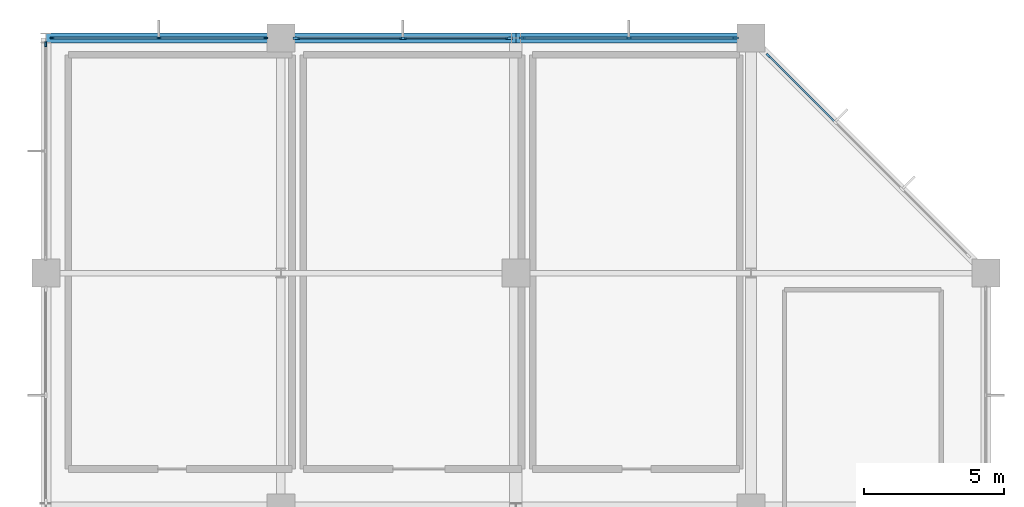
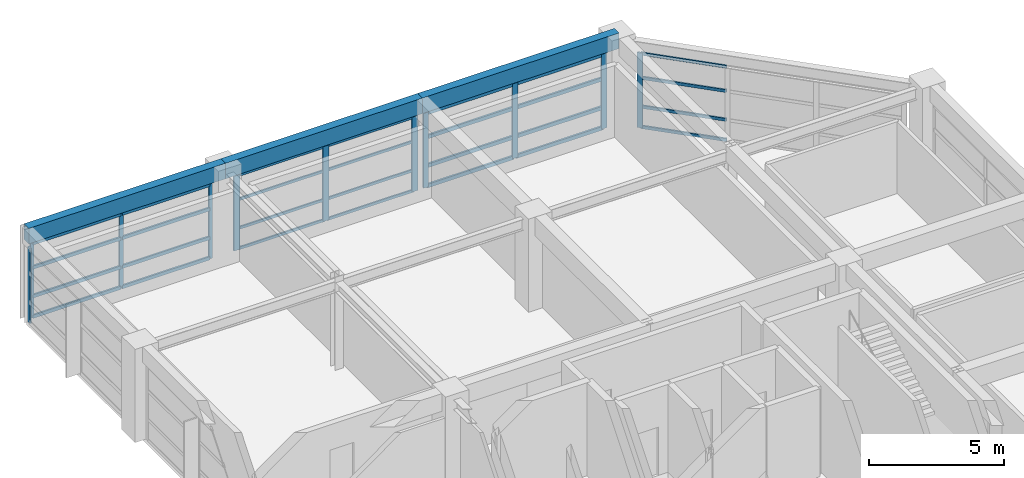
# One storey, part 8 of 15: 39 members, 3 beams, 5 elements without a shape of their own.
"""IFC4 building model written with IfcOpenShell, lengths in metres."""

from ifc_helpers import new_model, si_unit, direction, frame, origin, origin_2d, place, context, subcontext, project, spatial, rectangle, extrude, material, material_profile, profile_set, type_object, element, aggregate, save


model = new_model("IFC4")

# Units and contexts
model_context = context("Model", 3, precision=1e-05, world=origin(), true_north=direction((0.0, 1.0)))
body_context = subcontext(model_context, "Body", "Model", "MODEL_VIEW")
ifc_project = project(units=[si_unit("LENGTHUNIT", "METRE"), si_unit("AREAUNIT", "SQUARE_METRE"), si_unit("VOLUMEUNIT", "CUBIC_METRE"), si_unit("PLANEANGLEUNIT", "RADIAN"), si_unit("MASSUNIT", "GRAM", prefix="KILO")], contexts=[model_context])

# Site, building, storey
site_placement = place(None, origin())
site = spatial("IfcSite", under=ifc_project, at=site_placement, CompositionType="ELEMENT")
building_placement = place(site_placement, origin())
building = spatial("IfcBuilding", under=site, at=building_placement, Name="Xuanlan Plaza Opera House", CompositionType="ELEMENT")
storey_placement = place(building_placement, frame((0.0, 0.0, 53.10009765625)))
storey = spatial("IfcBuildingStorey", under=building, at=storey_placement, Name="L12", CompositionType="ELEMENT", Elevation=53.10009765625)

# Curtain wall, members
ifc_material_1 = material(Name="Anodised Aluminium 6063-T6 and Low-E Glass", Category="aluminium")
curtain_wall_type_1 = type_object("IfcCurtainWallType", Name="ENV-CW-CW-02", PredefinedType="USERDEFINED", material=ifc_material_1)
curtain_wall_1_placement = place(storey_placement, origin())
curtain_wall_1 = element("IfcCurtainWall", 1, at=curtain_wall_1_placement, inside=storey, type_object=curtain_wall_type_1, Name="Unitised Curtain Wall L12-012", ObjectType="UNITISED CURTAIN WALL", PredefinedType="USERDEFINED")
ifc_material_2 = material(Name="Anodised Aluminium 6063-T6", Category="aluminium")
ifc_material_profile_1 = material_profile(ifc_material_2, rectangle(XDim=0.06494140625, YDim=0.159912109375, at=origin_2d()), Name="ALU-M 65x160")
ifc_profile_set_1 = profile_set([ifc_material_profile_1], Name="Anodised Aluminium 6063-T6")
member_type_1 = type_object("IfcMemberType", Name="ENV-CWM-01", PredefinedType="MULLION", material=ifc_profile_set_1)
member_1_placement = place(storey_placement, frame((133.847412109375, 84.0, 0.0), z_axis=(0.0, 0.0, 1.0), x_axis=(0.0, -1.0, 0.0)))
member_1 = element("IfcMember", 2, at=member_1_placement, type_object=member_type_1, Name="CW-02 mullion 1", PredefinedType="MULLION", context=body_context, shape_type="SweptSolid", body=[
    extrude(rectangle(XDim=0.06494140625, YDim=0.159912109375, at=origin_2d()), origin(), (0.0, 0.0, 1.0), 3.3798828125),
])
member_2_placement = place(storey_placement, frame((130.03759765625, 84.0, 0.0), z_axis=(0.0, 0.0, 1.0), x_axis=(0.0, -1.0, 0.0)))
member_2 = element("IfcMember", 3, at=member_2_placement, type_object=member_type_1, Name="CW-02 mullion 2", PredefinedType="MULLION", context=body_context, shape_type="SweptSolid", body=[
    extrude(rectangle(XDim=0.06494140625, YDim=0.159912109375, at=origin_2d()), origin(), (0.0, 0.0, 1.0), 3.3798828125),
])
member_3_placement = place(storey_placement, frame((126.2275390625, 84.0, 0.0), z_axis=(0.0, 0.0, 1.0), x_axis=(0.0, -1.0, 0.0)))
member_3 = element("IfcMember", 4, at=member_3_placement, type_object=member_type_1, Name="CW-02 mullion 3", PredefinedType="MULLION", context=body_context, shape_type="SweptSolid", body=[
    extrude(rectangle(XDim=0.06494140625, YDim=0.159912109375, at=origin_2d()), origin(), (0.0, 0.0, 1.0), 3.3798828125),
])

# Curtain wall, member
curtain_wall_type_2 = type_object("IfcCurtainWallType", Name="ENV-CW-CW-03", PredefinedType="USERDEFINED", material=ifc_material_1)
curtain_wall_2_placement = place(storey_placement, origin())
curtain_wall_2 = element("IfcCurtainWall", 5, at=curtain_wall_2_placement, inside=storey, type_object=curtain_wall_type_2, Name="Unitised Curtain Wall L12-013", ObjectType="UNITISED CURTAIN WALL", PredefinedType="USERDEFINED")
ifc_material_profile_2 = material_profile(ifc_material_2, rectangle(XDim=0.070068359375, YDim=0.179931640625, at=origin_2d()), Name="ALU-M 70x180")
ifc_profile_set_2 = profile_set([ifc_material_profile_2], Name="Anodised Aluminium 6063-T6")
member_type_2 = type_object("IfcMemberType", Name="ENV-CWM-02", PredefinedType="MULLION", material=ifc_profile_set_2)
member_4_placement = place(storey_placement, frame((126.0, 83.77001953125, 0.0), z_axis=(0.0, 0.0, 1.0), x_axis=(1.0, 0.0, 0.0)))
member_4 = element("IfcMember", 6, at=member_4_placement, type_object=member_type_2, Name="CW-03 mullion 1", PredefinedType="MULLION", context=body_context, shape_type="SweptSolid", body=[
    extrude(rectangle(XDim=0.070068359375, YDim=0.179931640625, at=origin_2d()), origin(), (0.0, 0.0, 1.0), 3.3798828125),
])
aggregate(curtain_wall_2, [member_4])

curtain_wall_3_placement = place(storey_placement, origin())
curtain_wall_3 = element("IfcCurtainWall", 7, at=curtain_wall_3_placement, inside=storey, type_object=curtain_wall_type_2, Name="Unitised Curtain Wall L12-009", ObjectType="UNITISED CURTAIN WALL", PredefinedType="USERDEFINED")
ifc_material_profile_3 = material_profile(ifc_material_2, rectangle(XDim=0.074951171875, YDim=0.199951171875, at=origin_2d()), Name="ALU-M 75x200")
ifc_profile_set_3 = profile_set([ifc_material_profile_3], Name="Anodised Aluminium 6063-T6")
member_type_3 = type_object("IfcMemberType", Name="ENV-CWM-03", PredefinedType="MULLION", material=ifc_profile_set_3)
member_5_placement = place(storey_placement, frame((151.825439453125, 83.37451171875, 0.0), z_axis=(0.0, 0.0, 1.0), x_axis=(-0.707106781187, -0.707106781187, 0.0)))
member_5 = element("IfcMember", 8, at=member_5_placement, type_object=member_type_3, Name="CW-03 mullion 4", PredefinedType="MULLION", context=body_context, shape_type="SweptSolid", body=[
    extrude(rectangle(XDim=0.074951171875, YDim=0.199951171875, at=origin_2d()), origin(), (0.0, 0.0, 1.0), 3.3798828125),
])

# Curtain wall, members
curtain_wall_type_3 = type_object("IfcCurtainWallType", Name="ENV-CW-CW-04", PredefinedType="USERDEFINED", material=ifc_material_1)
curtain_wall_4_placement = place(storey_placement, origin())
curtain_wall_4 = element("IfcCurtainWall", 9, at=curtain_wall_4_placement, inside=storey, type_object=curtain_wall_type_3, Name="Unitised Curtain Wall L12-010", ObjectType="UNITISED CURTAIN WALL", PredefinedType="USERDEFINED")
ifc_material_profile_4 = material_profile(ifc_material_2, rectangle(XDim=0.080078125, YDim=0.219970703125, at=origin_2d()), Name="ALU-M 80x220")
ifc_profile_set_4 = profile_set([ifc_material_profile_4], Name="Anodised Aluminium 6063-T6")
member_type_4 = type_object("IfcMemberType", Name="ENV-CWM-04", PredefinedType="MULLION", material=ifc_profile_set_4)
member_6_placement = place(storey_placement, frame((150.639892578125, 84.0, 0.0), z_axis=(0.0, 0.0, 1.0), x_axis=(0.0, -1.0, 0.0)))
member_6 = element("IfcMember", 10, at=member_6_placement, type_object=member_type_4, Name="CW-04 mullion 1", PredefinedType="MULLION", context=body_context, shape_type="SweptSolid", body=[
    extrude(rectangle(XDim=0.080078125, YDim=0.219970703125, at=origin_2d()), origin(), (0.0, 0.0, 1.0), 3.3798828125),
])
member_7_placement = place(storey_placement, frame((146.83740234375, 84.0, 0.0), z_axis=(0.0, 0.0, 1.0), x_axis=(0.0, -1.0, 0.0)))
member_7 = element("IfcMember", 11, at=member_7_placement, type_object=member_type_4, Name="CW-04 mullion 2", PredefinedType="MULLION", context=body_context, shape_type="SweptSolid", body=[
    extrude(rectangle(XDim=0.080078125, YDim=0.219970703125, at=origin_2d()), origin(), (0.0, 0.0, 1.0), 3.3798828125),
])
member_8_placement = place(storey_placement, frame((143.034912109375, 84.0, 0.0), z_axis=(0.0, 0.0, 1.0), x_axis=(0.0, -1.0, 0.0)))
member_8 = element("IfcMember", 12, at=member_8_placement, type_object=member_type_4, Name="CW-04 mullion 3", PredefinedType="MULLION", context=body_context, shape_type="SweptSolid", body=[
    extrude(rectangle(XDim=0.080078125, YDim=0.219970703125, at=origin_2d()), origin(), (0.0, 0.0, 1.0), 3.3798828125),
])

curtain_wall_type_4 = type_object("IfcCurtainWallType", Name="ENV-CW-CW-01", PredefinedType="USERDEFINED", material=ifc_material_1)
curtain_wall_5_placement = place(storey_placement, origin())
curtain_wall_5 = element("IfcCurtainWall", 13, at=curtain_wall_5_placement, inside=storey, type_object=curtain_wall_type_4, Name="Unitised Curtain Wall L12-011", ObjectType="UNITISED CURTAIN WALL", PredefinedType="USERDEFINED")
ifc_material_profile_5 = material_profile(ifc_material_2, rectangle(XDim=0.090087890625, YDim=0.25, at=origin_2d()), Name="ALU-M 90x250")
ifc_profile_set_5 = profile_set([ifc_material_profile_5], Name="Anodised Aluminium 6063-T6")
member_type_5 = type_object("IfcMemberType", Name="ENV-CWM-05", PredefinedType="MULLION", material=ifc_profile_set_5)
member_9_placement = place(storey_placement, frame((142.56005859375, 84.0, 0.0), z_axis=(0.0, 0.0, 1.0), x_axis=(0.0, -1.0, 0.0)))
member_9 = element("IfcMember", 14, at=member_9_placement, type_object=member_type_5, Name="CW-01 mullion 1", PredefinedType="MULLION", context=body_context, shape_type="SweptSolid", body=[
    extrude(rectangle(XDim=0.090087890625, YDim=0.25, at=origin_2d()), origin(), (0.0, 0.0, 1.0), 3.3798828125),
])
member_10_placement = place(storey_placement, frame((138.762451171875, 84.0, 0.0), z_axis=(0.0, 0.0, 1.0), x_axis=(0.0, -1.0, 0.0)))
member_10 = element("IfcMember", 15, at=member_10_placement, type_object=member_type_5, Name="CW-01 mullion 2", PredefinedType="MULLION", context=body_context, shape_type="SweptSolid", body=[
    extrude(rectangle(XDim=0.090087890625, YDim=0.25, at=origin_2d()), origin(), (0.0, 0.0, 1.0), 3.3798828125),
])
member_11_placement = place(storey_placement, frame((134.965087890625, 84.0, 0.0), z_axis=(0.0, 0.0, 1.0), x_axis=(0.0, -1.0, 0.0)))
member_11 = element("IfcMember", 16, at=member_11_placement, type_object=member_type_5, Name="CW-01 mullion 3", PredefinedType="MULLION", context=body_context, shape_type="SweptSolid", body=[
    extrude(rectangle(XDim=0.090087890625, YDim=0.25, at=origin_2d()), origin(), (0.0, 0.0, 1.0), 3.3798828125),
])
ifc_material_profile_6 = material_profile(ifc_material_2, rectangle(XDim=0.06494140625, YDim=0.1201171875, at=origin_2d()), Name="ALU-T 65x120")
ifc_profile_set_6 = profile_set([ifc_material_profile_6], Name="Anodised Aluminium 6063-T6")
member_type_6 = type_object("IfcMemberType", Name="ENV-CWT-01", PredefinedType="USERDEFINED", material=ifc_profile_set_6)
member_12_placement = place(storey_placement, frame((142.514892578125, 84.0, 0.032470703125), z_axis=(-1.0, 0.0, 0.0), x_axis=(0.0, -1.0, 0.0)))
member_12 = element("IfcMember", 17, at=member_12_placement, type_object=member_type_6, Name="CW-01 transom 1.1", ObjectType="TRANSOM", PredefinedType="USERDEFINED", context=body_context, shape_type="SweptSolid", body=[
    extrude(rectangle(XDim=0.06494140625, YDim=0.1201171875, at=origin_2d()), origin(), (0.0, 0.0, 1.0), 3.707275390625),
])
member_13_placement = place(storey_placement, frame((142.514892578125, 84.0, 0.949951171875), z_axis=(-1.0, 0.0, 0.0), x_axis=(0.0, -1.0, 0.0)))
member_13 = element("IfcMember", 18, at=member_13_placement, type_object=member_type_6, Name="CW-01 transom 1.2", ObjectType="TRANSOM", PredefinedType="USERDEFINED", context=body_context, shape_type="SweptSolid", body=[
    extrude(rectangle(XDim=0.06494140625, YDim=0.1201171875, at=origin_2d()), origin(), (0.0, 0.0, 1.0), 3.707275390625),
])
member_14_placement = place(storey_placement, frame((142.514892578125, 84.0, 2.25), z_axis=(-1.0, 0.0, 0.0), x_axis=(0.0, -1.0, 0.0)))
member_14 = element("IfcMember", 19, at=member_14_placement, type_object=member_type_6, Name="CW-01 transom 1.3", ObjectType="TRANSOM", PredefinedType="USERDEFINED", context=body_context, shape_type="SweptSolid", body=[
    extrude(rectangle(XDim=0.06494140625, YDim=0.1201171875, at=origin_2d()), origin(), (0.0, 0.0, 1.0), 3.707275390625),
])
member_15_placement = place(storey_placement, frame((142.514892578125, 84.0, 3.347412109375), z_axis=(-1.0, 0.0, 0.0), x_axis=(0.0, -1.0, 0.0)))
member_15 = element("IfcMember", 20, at=member_15_placement, type_object=member_type_6, Name="CW-01 transom 1.4", ObjectType="TRANSOM", PredefinedType="USERDEFINED", context=body_context, shape_type="SweptSolid", body=[
    extrude(rectangle(XDim=0.06494140625, YDim=0.1201171875, at=origin_2d()), origin(), (0.0, 0.0, 1.0), 3.707275390625),
])
member_16_placement = place(storey_placement, frame((138.717529296875, 84.0, 0.032470703125), z_axis=(-1.0, 0.0, 0.0), x_axis=(0.0, -1.0, 0.0)))
member_16 = element("IfcMember", 21, at=member_16_placement, type_object=member_type_6, Name="CW-01 transom 2.1", ObjectType="TRANSOM", PredefinedType="USERDEFINED", context=body_context, shape_type="SweptSolid", body=[
    extrude(rectangle(XDim=0.06494140625, YDim=0.1201171875, at=origin_2d()), origin(), (0.0, 0.0, 1.0), 3.70751953125),
])
member_17_placement = place(storey_placement, frame((138.717529296875, 84.0, 0.949951171875), z_axis=(-1.0, 0.0, 0.0), x_axis=(0.0, -1.0, 0.0)))
member_17 = element("IfcMember", 22, at=member_17_placement, type_object=member_type_6, Name="CW-01 transom 2.2", ObjectType="TRANSOM", PredefinedType="USERDEFINED", context=body_context, shape_type="SweptSolid", body=[
    extrude(rectangle(XDim=0.06494140625, YDim=0.1201171875, at=origin_2d()), origin(), (0.0, 0.0, 1.0), 3.70751953125),
])
member_18_placement = place(storey_placement, frame((138.717529296875, 84.0, 2.25), z_axis=(-1.0, 0.0, 0.0), x_axis=(0.0, -1.0, 0.0)))
member_18 = element("IfcMember", 23, at=member_18_placement, type_object=member_type_6, Name="CW-01 transom 2.3", ObjectType="TRANSOM", PredefinedType="USERDEFINED", context=body_context, shape_type="SweptSolid", body=[
    extrude(rectangle(XDim=0.06494140625, YDim=0.1201171875, at=origin_2d()), origin(), (0.0, 0.0, 1.0), 3.70751953125),
])
member_19_placement = place(storey_placement, frame((138.717529296875, 84.0, 3.347412109375), z_axis=(-1.0, 0.0, 0.0), x_axis=(0.0, -1.0, 0.0)))
member_19 = element("IfcMember", 24, at=member_19_placement, type_object=member_type_6, Name="CW-01 transom 2.4", ObjectType="TRANSOM", PredefinedType="USERDEFINED", context=body_context, shape_type="SweptSolid", body=[
    extrude(rectangle(XDim=0.06494140625, YDim=0.1201171875, at=origin_2d()), origin(), (0.0, 0.0, 1.0), 3.70751953125),
])
aggregate(curtain_wall_5, [member_9, member_10, member_11, member_12, member_13, member_14, member_15, member_16, member_17, member_18, member_19])

# Member
ifc_material_profile_7 = material_profile(ifc_material_2, rectangle(XDim=0.070068359375, YDim=0.135009765625, at=origin_2d()), Name="ALU-T 70x135")
ifc_profile_set_7 = profile_set([ifc_material_profile_7], Name="Anodised Aluminium 6063-T6")
member_type_7 = type_object("IfcMemberType", Name="ENV-CWT-02", PredefinedType="USERDEFINED", material=ifc_profile_set_7)
member_20_placement = place(storey_placement, frame((154.173095703125, 81.02685546875, 0.034912109375), z_axis=(-0.707106781187, 0.707106781187, 0.0), x_axis=(-0.707106781187, -0.707106781187, 0.0)))
member_20 = element("IfcMember", 25, at=member_20_placement, type_object=member_type_7, Name="CW-03 transom 3.1", ObjectType="TRANSOM", PredefinedType="USERDEFINED", context=body_context, shape_type="SweptSolid", body=[
    extrude(rectangle(XDim=0.070068359375, YDim=0.135009765625, at=origin_2d()), origin(), (0.0, 0.0, 1.0), 3.282470703125),
])

member_21_placement = place(storey_placement, frame((154.173095703125, 81.02685546875, 0.949951171875), z_axis=(-0.707106781187, 0.707106781187, 0.0), x_axis=(-0.707106781187, -0.707106781187, 0.0)))
member_21 = element("IfcMember", 26, at=member_21_placement, type_object=member_type_7, Name="CW-03 transom 3.2", ObjectType="TRANSOM", PredefinedType="USERDEFINED", context=body_context, shape_type="SweptSolid", body=[
    extrude(rectangle(XDim=0.070068359375, YDim=0.135009765625, at=origin_2d()), origin(), (0.0, 0.0, 1.0), 3.282470703125),
])

member_22_placement = place(storey_placement, frame((154.173095703125, 81.02685546875, 2.25), z_axis=(-0.707106781187, 0.707106781187, 0.0), x_axis=(-0.707106781187, -0.707106781187, 0.0)))
member_22 = element("IfcMember", 27, at=member_22_placement, type_object=member_type_7, Name="CW-03 transom 3.3", ObjectType="TRANSOM", PredefinedType="USERDEFINED", context=body_context, shape_type="SweptSolid", body=[
    extrude(rectangle(XDim=0.070068359375, YDim=0.135009765625, at=origin_2d()), origin(), (0.0, 0.0, 1.0), 3.282470703125),
])

member_23_placement = place(storey_placement, frame((154.173095703125, 81.02685546875, 3.344970703125), z_axis=(-0.707106781187, 0.707106781187, 0.0), x_axis=(-0.707106781187, -0.707106781187, 0.0)))
member_23 = element("IfcMember", 28, at=member_23_placement, type_object=member_type_7, Name="CW-03 transom 3.4", ObjectType="TRANSOM", PredefinedType="USERDEFINED", context=body_context, shape_type="SweptSolid", body=[
    extrude(rectangle(XDim=0.070068359375, YDim=0.135009765625, at=origin_2d()), origin(), (0.0, 0.0, 1.0), 3.282470703125),
])

aggregate(curtain_wall_3, [member_5, member_20, member_21, member_22, member_23])

ifc_material_profile_8 = material_profile(ifc_material_2, rectangle(XDim=0.074951171875, YDim=0.14990234375, at=origin_2d()), Name="ALU-T 75x150")
ifc_profile_set_8 = profile_set([ifc_material_profile_8], Name="Anodised Aluminium 6063-T6")
member_type_8 = type_object("IfcMemberType", Name="ENV-CWT-03", PredefinedType="USERDEFINED", material=ifc_profile_set_8)
member_24_placement = place(storey_placement, frame((133.81494140625, 84.0, 0.037353515625), z_axis=(-1.0, 0.0, 0.0), x_axis=(0.0, -1.0, 0.0)))
member_24 = element("IfcMember", 29, at=member_24_placement, type_object=member_type_8, Name="CW-02 transom 1.1", ObjectType="TRANSOM", PredefinedType="USERDEFINED", context=body_context, shape_type="SweptSolid", body=[
    extrude(rectangle(XDim=0.074951171875, YDim=0.14990234375, at=origin_2d()), origin(), (0.0, 0.0, 1.0), 3.744873046875),
])

member_25_placement = place(storey_placement, frame((133.81494140625, 84.0, 0.949951171875), z_axis=(-1.0, 0.0, 0.0), x_axis=(0.0, -1.0, 0.0)))
member_25 = element("IfcMember", 30, at=member_25_placement, type_object=member_type_8, Name="CW-02 transom 1.2", ObjectType="TRANSOM", PredefinedType="USERDEFINED", context=body_context, shape_type="SweptSolid", body=[
    extrude(rectangle(XDim=0.074951171875, YDim=0.14990234375, at=origin_2d()), origin(), (0.0, 0.0, 1.0), 3.744873046875),
])

member_26_placement = place(storey_placement, frame((133.81494140625, 84.0, 2.25), z_axis=(-1.0, 0.0, 0.0), x_axis=(0.0, -1.0, 0.0)))
member_26 = element("IfcMember", 31, at=member_26_placement, type_object=member_type_8, Name="CW-02 transom 1.3", ObjectType="TRANSOM", PredefinedType="USERDEFINED", context=body_context, shape_type="SweptSolid", body=[
    extrude(rectangle(XDim=0.074951171875, YDim=0.14990234375, at=origin_2d()), origin(), (0.0, 0.0, 1.0), 3.744873046875),
])

member_27_placement = place(storey_placement, frame((133.81494140625, 84.0, 3.34228515625), z_axis=(-1.0, 0.0, 0.0), x_axis=(0.0, -1.0, 0.0)))
member_27 = element("IfcMember", 32, at=member_27_placement, type_object=member_type_8, Name="CW-02 transom 1.4", ObjectType="TRANSOM", PredefinedType="USERDEFINED", context=body_context, shape_type="SweptSolid", body=[
    extrude(rectangle(XDim=0.074951171875, YDim=0.14990234375, at=origin_2d()), origin(), (0.0, 0.0, 1.0), 3.744873046875),
])

member_28_placement = place(storey_placement, frame((130.0048828125, 84.0, 0.037353515625), z_axis=(-1.0, 0.0, 0.0), x_axis=(0.0, -1.0, 0.0)))
member_28 = element("IfcMember", 33, at=member_28_placement, type_object=member_type_8, Name="CW-02 transom 2.1", ObjectType="TRANSOM", PredefinedType="USERDEFINED", context=body_context, shape_type="SweptSolid", body=[
    extrude(rectangle(XDim=0.074951171875, YDim=0.14990234375, at=origin_2d()), origin(), (0.0, 0.0, 1.0), 3.744873046875),
])

member_29_placement = place(storey_placement, frame((130.0048828125, 84.0, 0.949951171875), z_axis=(-1.0, 0.0, 0.0), x_axis=(0.0, -1.0, 0.0)))
member_29 = element("IfcMember", 34, at=member_29_placement, type_object=member_type_8, Name="CW-02 transom 2.2", ObjectType="TRANSOM", PredefinedType="USERDEFINED", context=body_context, shape_type="SweptSolid", body=[
    extrude(rectangle(XDim=0.074951171875, YDim=0.14990234375, at=origin_2d()), origin(), (0.0, 0.0, 1.0), 3.744873046875),
])

member_30_placement = place(storey_placement, frame((130.0048828125, 84.0, 2.25), z_axis=(-1.0, 0.0, 0.0), x_axis=(0.0, -1.0, 0.0)))
member_30 = element("IfcMember", 35, at=member_30_placement, type_object=member_type_8, Name="CW-02 transom 2.3", ObjectType="TRANSOM", PredefinedType="USERDEFINED", context=body_context, shape_type="SweptSolid", body=[
    extrude(rectangle(XDim=0.074951171875, YDim=0.14990234375, at=origin_2d()), origin(), (0.0, 0.0, 1.0), 3.744873046875),
])

member_31_placement = place(storey_placement, frame((130.0048828125, 84.0, 3.34228515625), z_axis=(-1.0, 0.0, 0.0), x_axis=(0.0, -1.0, 0.0)))
member_31 = element("IfcMember", 36, at=member_31_placement, type_object=member_type_8, Name="CW-02 transom 2.4", ObjectType="TRANSOM", PredefinedType="USERDEFINED", context=body_context, shape_type="SweptSolid", body=[
    extrude(rectangle(XDim=0.074951171875, YDim=0.14990234375, at=origin_2d()), origin(), (0.0, 0.0, 1.0), 3.744873046875),
])

aggregate(curtain_wall_1, [member_1, member_2, member_3, member_24, member_25, member_26, member_27, member_28, member_29, member_30, member_31])

ifc_material_profile_9 = material_profile(ifc_material_2, rectangle(XDim=0.080078125, YDim=0.1650390625, at=origin_2d()), Name="ALU-T 80x165")
ifc_profile_set_9 = profile_set([ifc_material_profile_9], Name="Anodised Aluminium 6063-T6")
member_type_9 = type_object("IfcMemberType", Name="ENV-CWT-04", PredefinedType="USERDEFINED", material=ifc_profile_set_9)
member_32_placement = place(storey_placement, frame((150.60009765625, 84.0, 0.039794921875), z_axis=(-1.0, 0.0, 0.0), x_axis=(0.0, -1.0, 0.0)))
member_32 = element("IfcMember", 37, at=member_32_placement, type_object=member_type_9, Name="CW-04 transom 1.1", ObjectType="TRANSOM", PredefinedType="USERDEFINED", context=body_context, shape_type="SweptSolid", body=[
    extrude(rectangle(XDim=0.080078125, YDim=0.1650390625, at=origin_2d()), origin(), (0.0, 0.0, 1.0), 3.72265625),
])

member_33_placement = place(storey_placement, frame((150.60009765625, 84.0, 0.949951171875), z_axis=(-1.0, 0.0, 0.0), x_axis=(0.0, -1.0, 0.0)))
member_33 = element("IfcMember", 38, at=member_33_placement, type_object=member_type_9, Name="CW-04 transom 1.2", ObjectType="TRANSOM", PredefinedType="USERDEFINED", context=body_context, shape_type="SweptSolid", body=[
    extrude(rectangle(XDim=0.080078125, YDim=0.1650390625, at=origin_2d()), origin(), (0.0, 0.0, 1.0), 3.72265625),
])

member_34_placement = place(storey_placement, frame((150.60009765625, 84.0, 2.25), z_axis=(-1.0, 0.0, 0.0), x_axis=(0.0, -1.0, 0.0)))
member_34 = element("IfcMember", 39, at=member_34_placement, type_object=member_type_9, Name="CW-04 transom 1.3", ObjectType="TRANSOM", PredefinedType="USERDEFINED", context=body_context, shape_type="SweptSolid", body=[
    extrude(rectangle(XDim=0.080078125, YDim=0.1650390625, at=origin_2d()), origin(), (0.0, 0.0, 1.0), 3.72265625),
])

member_35_placement = place(storey_placement, frame((150.60009765625, 84.0, 3.33984375), z_axis=(-1.0, 0.0, 0.0), x_axis=(0.0, -1.0, 0.0)))
member_35 = element("IfcMember", 40, at=member_35_placement, type_object=member_type_9, Name="CW-04 transom 1.4", ObjectType="TRANSOM", PredefinedType="USERDEFINED", context=body_context, shape_type="SweptSolid", body=[
    extrude(rectangle(XDim=0.080078125, YDim=0.1650390625, at=origin_2d()), origin(), (0.0, 0.0, 1.0), 3.72265625),
])

member_36_placement = place(storey_placement, frame((146.797607421875, 84.0, 0.039794921875), z_axis=(-1.0, 0.0, 0.0), x_axis=(0.0, -1.0, 0.0)))
member_36 = element("IfcMember", 41, at=member_36_placement, type_object=member_type_9, Name="CW-04 transom 2.1", ObjectType="TRANSOM", PredefinedType="USERDEFINED", context=body_context, shape_type="SweptSolid", body=[
    extrude(rectangle(XDim=0.080078125, YDim=0.1650390625, at=origin_2d()), origin(), (0.0, 0.0, 1.0), 3.72265625),
])

member_37_placement = place(storey_placement, frame((146.797607421875, 84.0, 0.949951171875), z_axis=(-1.0, 0.0, 0.0), x_axis=(0.0, -1.0, 0.0)))
member_37 = element("IfcMember", 42, at=member_37_placement, type_object=member_type_9, Name="CW-04 transom 2.2", ObjectType="TRANSOM", PredefinedType="USERDEFINED", context=body_context, shape_type="SweptSolid", body=[
    extrude(rectangle(XDim=0.080078125, YDim=0.1650390625, at=origin_2d()), origin(), (0.0, 0.0, 1.0), 3.72265625),
])

member_38_placement = place(storey_placement, frame((146.797607421875, 84.0, 2.25), z_axis=(-1.0, 0.0, 0.0), x_axis=(0.0, -1.0, 0.0)))
member_38 = element("IfcMember", 43, at=member_38_placement, type_object=member_type_9, Name="CW-04 transom 2.3", ObjectType="TRANSOM", PredefinedType="USERDEFINED", context=body_context, shape_type="SweptSolid", body=[
    extrude(rectangle(XDim=0.080078125, YDim=0.1650390625, at=origin_2d()), origin(), (0.0, 0.0, 1.0), 3.72265625),
])

member_39_placement = place(storey_placement, frame((146.797607421875, 84.0, 3.33984375), z_axis=(-1.0, 0.0, 0.0), x_axis=(0.0, -1.0, 0.0)))
member_39 = element("IfcMember", 44, at=member_39_placement, type_object=member_type_9, Name="CW-04 transom 2.4", ObjectType="TRANSOM", PredefinedType="USERDEFINED", context=body_context, shape_type="SweptSolid", body=[
    extrude(rectangle(XDim=0.080078125, YDim=0.1650390625, at=origin_2d()), origin(), (0.0, 0.0, 1.0), 3.72265625),
])

aggregate(curtain_wall_4, [member_6, member_7, member_8, member_32, member_33, member_34, member_35, member_36, member_37, member_38, member_39])

# Beams
ifc_material_3 = material(Name="Concrete C40", Category="concrete")
ifc_material_profile_10 = material_profile(ifc_material_3, rectangle(XDim=0.35009765625, YDim=0.699951171875, at=origin_2d()), Name="RC-SPD 350x700")
ifc_profile_set_10 = profile_set([ifc_material_profile_10], Name="Concrete C40")
beam_type = type_object("IfcBeamType", Name="STR-BM-SP-02", PredefinedType="SPANDREL", material=ifc_profile_set_10)
beam_1_placement = place(storey_placement, frame((126.0, 84.0, 3.849853515625), z_axis=(1.0, 0.0, 0.0), x_axis=(0.0, 1.0, 0.0)))
element("IfcBeam", 45, at=beam_1_placement, inside=storey, type_object=beam_type, Name="Grid Beam X L12 16-17/K", PredefinedType="SPANDREL", context=body_context, shape_type="SweptSolid", body=[
    extrude(rectangle(XDim=0.35009765625, YDim=0.699951171875, at=origin_2d()), origin(), (0.0, 0.0, 1.0), 8.39990234375),
])
beam_2_placement = place(storey_placement, frame((134.39990234375, 84.0, 3.849853515625), z_axis=(1.0, 0.0, 0.0), x_axis=(0.0, 1.0, 0.0)))
element("IfcBeam", 46, at=beam_2_placement, inside=storey, type_object=beam_type, Name="Grid Beam X L12 17-18/K", PredefinedType="SPANDREL", context=body_context, shape_type="SweptSolid", body=[
    extrude(rectangle(XDim=0.35009765625, YDim=0.699951171875, at=origin_2d()), origin(), (0.0, 0.0, 1.0), 8.400146484375),
])
beam_3_placement = place(storey_placement, frame((142.800048828125, 84.0, 3.849853515625), z_axis=(1.0, 0.0, 0.0), x_axis=(0.0, 1.0, 0.0)))
element("IfcBeam", 47, at=beam_3_placement, inside=storey, type_object=beam_type, Name="Grid Beam X L12 18-19/K", PredefinedType="SPANDREL", context=body_context, shape_type="SweptSolid", body=[
    extrude(rectangle(XDim=0.35009765625, YDim=0.699951171875, at=origin_2d()), origin(), (0.0, 0.0, 1.0), 8.39990234375),
])

save(model, "model.ifc")
